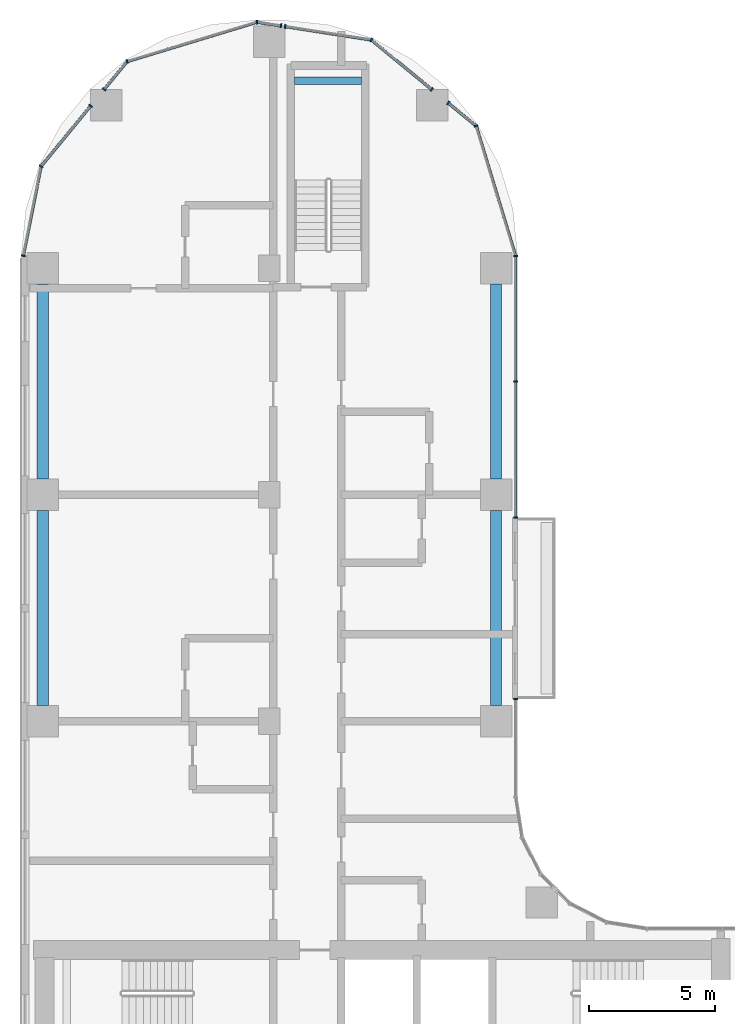
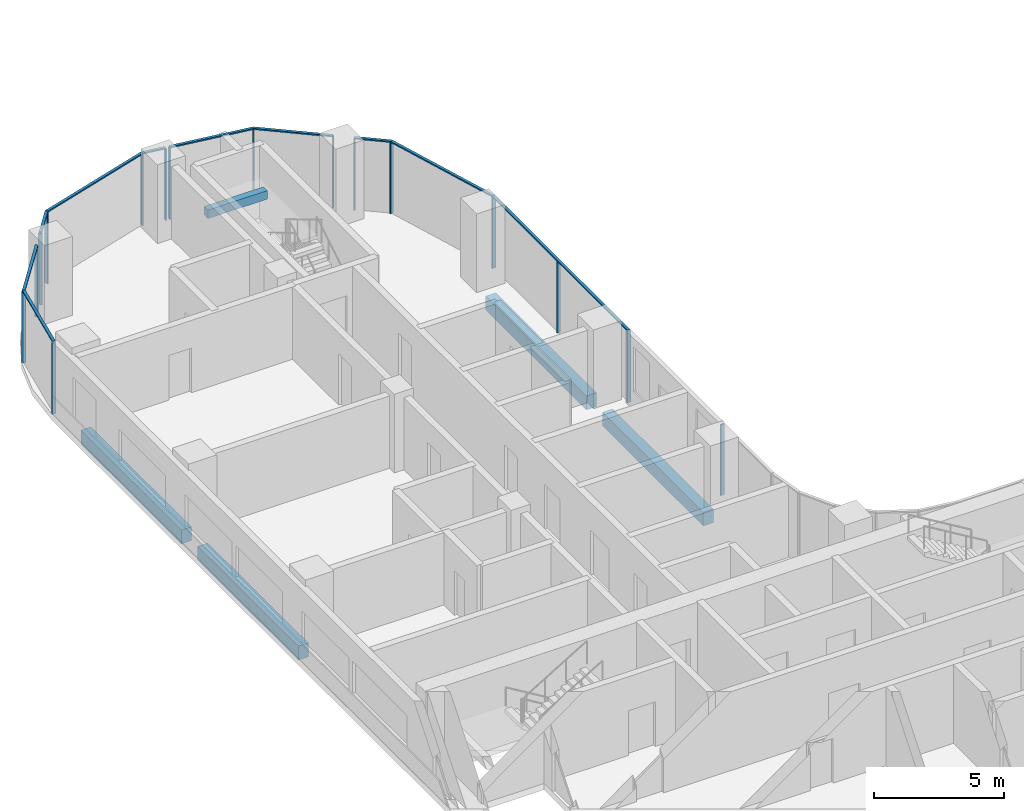
# One storey, part 5 of 35: 26 members, 5 beams, 6 elements without a shape of their own.
"""IFC4 building model written with IfcOpenShell, lengths in metres."""

from ifc_helpers import new_model, si_unit, direction, frame, origin, origin_2d, place, context, subcontext, project, spatial, rectangle, extrude, material, material_profile, profile_set, type_object, element, aggregate, save


model = new_model("IFC4")

# Units and contexts
model_context = context("Model", 3, precision=1e-05, world=origin(), true_north=direction((0.0, 1.0)))
body_context = subcontext(model_context, "Body", "Model", "MODEL_VIEW")
ifc_project = project(units=[si_unit("LENGTHUNIT", "METRE"), si_unit("AREAUNIT", "SQUARE_METRE"), si_unit("VOLUMEUNIT", "CUBIC_METRE"), si_unit("PLANEANGLEUNIT", "RADIAN"), si_unit("MASSUNIT", "GRAM", prefix="KILO")], contexts=[model_context])

# Site, building, storey
site_placement = place(None, origin())
site = spatial("IfcSite", under=ifc_project, at=site_placement, CompositionType="ELEMENT")
building_placement = place(site_placement, origin())
building = spatial("IfcBuilding", under=site, at=building_placement, Name="Ogive Portal Towers", CompositionType="ELEMENT")
storey_placement = place(building_placement, frame((0.0, 0.0, 90.800048828125)))
storey = spatial("IfcBuildingStorey", under=building, at=storey_placement, Name="L21", CompositionType="ELEMENT", Elevation=90.800048828125)

# Beam
ifc_material_1 = material(Name="Concrete C40/50", Category="concrete")
ifc_material_profile_1 = material_profile(ifc_material_1, rectangle(XDim=0.300048828125, YDim=0.39990234375, at=origin_2d()), Name="RC 300x400")
ifc_profile_set_1 = profile_set([ifc_material_profile_1], Name="Concrete C40/50")
beam_type_1 = type_object("IfcBeamType", Name="BEAM RC 300x400", PredefinedType="BEAM", material=ifc_profile_set_1)
beam_placement = place(storey_placement, frame((41.5, 73.949951171875, 1.449951171875), z_axis=(1.0, 0.0, 0.0), x_axis=(0.0, 1.0, 0.0)))
element("IfcBeam", 1, at=beam_placement, inside=storey, type_object=beam_type_1, Name="Landing beam L21", PredefinedType="BEAM", context=body_context, shape_type="SweptSolid", body=[
    extrude(rectangle(XDim=0.300048828125, YDim=0.39990234375, at=origin_2d()), origin(), (0.0, 0.0, 1.0), 2.64990234375),
])

# Curtain wall, member
ifc_material_2 = material(Name="Glass, clear low-iron insulated glazing", Category="glass")
curtain_wall_type = type_object("IfcCurtainWallType", Name="CW FRONT RIBBON 4500", PredefinedType="NOTDEFINED", material=ifc_material_2)
curtain_wall_1_placement = place(storey_placement, origin())
curtain_wall_1 = element("IfcCurtainWall", 2, at=curtain_wall_1_placement, inside=storey, type_object=curtain_wall_type, Name="A:L21:f17:cw0", PredefinedType="NOTDEFINED")
ifc_material_3 = material(Name="Aluminium 6063 anodised", Category="aluminium")
ifc_material_profile_2 = material_profile(ifc_material_3, rectangle(XDim=0.159912109375, YDim=0.06005859375, at=origin_2d()), Name="AL 60x160")
ifc_profile_set_2 = profile_set([ifc_material_profile_2], Name="Aluminium 6063 anodised")
member_type_1 = type_object("IfcMemberType", Name="CW MULLION 60x160", PredefinedType="MULLION", material=ifc_profile_set_2)
member_1_placement = place(storey_placement, frame((50.27490234375, 49.392578125, 0.0), z_axis=(0.0, 0.0, 1.0), x_axis=(-1.0, 0.0, 0.0)))
member_1 = element("IfcMember", 3, at=member_1_placement, type_object=member_type_1, Name="mullion", PredefinedType="MULLION", context=body_context, shape_type="SweptSolid", body=[
    extrude(rectangle(XDim=0.159912109375, YDim=0.06005859375, at=origin_2d()), origin(), (0.0, 0.0, 1.0), 3.33984375),
])
aggregate(curtain_wall_1, [member_1])

# Curtain wall, members
curtain_wall_2_placement = place(storey_placement, origin())
curtain_wall_2 = element("IfcCurtainWall", 4, at=curtain_wall_2_placement, inside=storey, type_object=curtain_wall_type, Name="A:L21:f17:cw1", PredefinedType="NOTDEFINED")
member_2_placement = place(storey_placement, frame((50.27490234375, 56.5908203125, 0.0), z_axis=(0.0, 0.0, 1.0), x_axis=(-1.0, 0.0, 0.0)))
member_2 = element("IfcMember", 5, at=member_2_placement, type_object=member_type_1, Name="mullion", PredefinedType="MULLION", context=body_context, shape_type="SweptSolid", body=[
    extrude(rectangle(XDim=0.159912109375, YDim=0.06005859375, at=origin_2d()), origin(), (0.0, 0.0, 1.0), 3.33984375),
])
member_3_placement = place(storey_placement, frame((50.27490234375, 62.0, 0.0), z_axis=(0.0, 0.0, 1.0), x_axis=(-1.0, 0.0, 0.0)))
member_3 = element("IfcMember", 6, at=member_3_placement, type_object=member_type_1, Name="mullion", PredefinedType="MULLION", context=body_context, shape_type="SweptSolid", body=[
    extrude(rectangle(XDim=0.159912109375, YDim=0.06005859375, at=origin_2d()), origin(), (0.0, 0.0, 1.0), 3.33984375),
])
member_4_placement = place(storey_placement, frame((50.27490234375, 66.988037109375, 0.0), z_axis=(0.0, 0.0, 1.0), x_axis=(-1.0, 0.0, 0.0)))
member_4 = element("IfcMember", 7, at=member_4_placement, type_object=member_type_1, Name="mullion", PredefinedType="MULLION", context=body_context, shape_type="SweptSolid", body=[
    extrude(rectangle(XDim=0.159912109375, YDim=0.06005859375, at=origin_2d()), origin(), (0.0, 0.0, 1.0), 3.33984375),
])

curtain_wall_3_placement = place(storey_placement, origin())
curtain_wall_3 = element("IfcCurtainWall", 8, at=curtain_wall_3_placement, inside=storey, type_object=curtain_wall_type, Name="A:L21:f18:cwa~0", PredefinedType="NOTDEFINED")
member_5_placement = place(storey_placement, frame((48.708984375, 72.15087890625, 0.0), z_axis=(0.0, 0.0, 1.0), x_axis=(-0.956940335732, -0.290284677254, 0.0)))
member_5 = element("IfcMember", 9, at=member_5_placement, type_object=member_type_1, Name="mullion", PredefinedType="MULLION", context=body_context, shape_type="SweptSolid", body=[
    extrude(rectangle(XDim=0.159912109375, YDim=0.06005859375, at=origin_2d()), origin(), (0.0, 0.0, 1.0), 3.33984375),
])
member_6_placement = place(storey_placement, frame((47.597900390625, 73.0625, 0.0), z_axis=(0.0, 0.0, 1.0), x_axis=(-0.634393284164, -0.773010453363, 0.0)))
member_6 = element("IfcMember", 10, at=member_6_placement, type_object=member_type_1, Name="mullion", PredefinedType="MULLION", context=body_context, shape_type="SweptSolid", body=[
    extrude(rectangle(XDim=0.159912109375, YDim=0.06005859375, at=origin_2d()), origin(), (0.0, 0.0, 1.0), 3.33984375),
])

curtain_wall_4_placement = place(storey_placement, origin())
curtain_wall_4 = element("IfcCurtainWall", 11, at=curtain_wall_4_placement, inside=storey, type_object=curtain_wall_type, Name="A:L21:f18:cwa~1", PredefinedType="NOTDEFINED")
member_7_placement = place(storey_placement, frame((46.945556640625, 73.597900390625, 0.0), z_axis=(0.0, 0.0, 1.0), x_axis=(-0.634393284164, -0.773010453363, 0.0)))
member_7 = element("IfcMember", 12, at=member_7_placement, type_object=member_type_1, Name="mullion", PredefinedType="MULLION", context=body_context, shape_type="SweptSolid", body=[
    extrude(rectangle(XDim=0.159912109375, YDim=0.06005859375, at=origin_2d()), origin(), (0.0, 0.0, 1.0), 3.33984375),
])
member_8_placement = place(storey_placement, frame((44.546142578125, 75.567138671875, 0.0), z_axis=(0.0, 0.0, 1.0), x_axis=(-0.634393284164, -0.773010453363, 0.0)))
member_8 = element("IfcMember", 13, at=member_8_placement, type_object=member_type_1, Name="mullion", PredefinedType="MULLION", context=body_context, shape_type="SweptSolid", body=[
    extrude(rectangle(XDim=0.159912109375, YDim=0.06005859375, at=origin_2d()), origin(), (0.0, 0.0, 1.0), 3.33984375),
])
member_9_placement = place(storey_placement, frame((41.125, 76.09912109375, 0.0), z_axis=(0.0, 0.0, 1.0), x_axis=(-0.153635802256, -0.988127542509, 0.0)))
member_9 = element("IfcMember", 14, at=member_9_placement, type_object=member_type_1, Name="mullion", PredefinedType="MULLION", context=body_context, shape_type="SweptSolid", body=[
    extrude(rectangle(XDim=0.159912109375, YDim=0.06005859375, at=origin_2d()), origin(), (0.0, 0.0, 1.0), 3.33984375),
])

curtain_wall_5_placement = place(storey_placement, origin())
curtain_wall_5 = element("IfcCurtainWall", 15, at=curtain_wall_5_placement, inside=storey, type_object=curtain_wall_type, Name="A:L21:f18:cwa~2", PredefinedType="NOTDEFINED")
member_10_placement = place(storey_placement, frame((40.95849609375, 76.125, 0.0), z_axis=(0.0, 0.0, 1.0), x_axis=(-0.153635802256, -0.988127542509, 0.0)))
member_10 = element("IfcMember", 16, at=member_10_placement, type_object=member_type_1, Name="mullion", PredefinedType="MULLION", context=body_context, shape_type="SweptSolid", body=[
    extrude(rectangle(XDim=0.159912109375, YDim=0.06005859375, at=origin_2d()), origin(), (0.0, 0.0, 1.0), 3.33984375),
])
member_11_placement = place(storey_placement, frame((40.005859375, 76.273193359375, 0.0), z_axis=(0.0, 0.0, 1.0), x_axis=(-0.153635802256, -0.988127542509, 0.0)))
member_11 = element("IfcMember", 17, at=member_11_placement, type_object=member_type_1, Name="mullion", PredefinedType="MULLION", context=body_context, shape_type="SweptSolid", body=[
    extrude(rectangle(XDim=0.159912109375, YDim=0.06005859375, at=origin_2d()), origin(), (0.0, 0.0, 1.0), 3.33984375),
])
member_12_placement = place(storey_placement, frame((34.84912109375, 74.708984375, 0.0), z_axis=(0.0, 0.0, 1.0), x_axis=(0.290284677254, -0.956940335732, 0.0)))
member_12 = element("IfcMember", 18, at=member_12_placement, type_object=member_type_1, Name="mullion", PredefinedType="MULLION", context=body_context, shape_type="SweptSolid", body=[
    extrude(rectangle(XDim=0.159912109375, YDim=0.06005859375, at=origin_2d()), origin(), (0.0, 0.0, 1.0), 3.33984375),
])
member_13_placement = place(storey_placement, frame((33.9375, 73.597900390625, 0.0), z_axis=(0.0, 0.0, 1.0), x_axis=(0.773010453363, -0.634393284164, 0.0)))
member_13 = element("IfcMember", 19, at=member_13_placement, type_object=member_type_1, Name="mullion", PredefinedType="MULLION", context=body_context, shape_type="SweptSolid", body=[
    extrude(rectangle(XDim=0.159912109375, YDim=0.06005859375, at=origin_2d()), origin(), (0.0, 0.0, 1.0), 3.33984375),
])

curtain_wall_6_placement = place(storey_placement, origin())
curtain_wall_6 = element("IfcCurtainWall", 20, at=curtain_wall_6_placement, inside=storey, type_object=curtain_wall_type, Name="A:L21:f18:cwa~3", PredefinedType="NOTDEFINED")
member_14_placement = place(storey_placement, frame((33.402099609375, 72.945556640625, 0.0), z_axis=(0.0, 0.0, 1.0), x_axis=(0.773010453363, -0.634393284164, 0.0)))
member_14 = element("IfcMember", 21, at=member_14_placement, type_object=member_type_1, Name="mullion", PredefinedType="MULLION", context=body_context, shape_type="SweptSolid", body=[
    extrude(rectangle(XDim=0.159912109375, YDim=0.06005859375, at=origin_2d()), origin(), (0.0, 0.0, 1.0), 3.33984375),
])
member_15_placement = place(storey_placement, frame((31.431640625, 70.544677734375, 0.0), z_axis=(0.0, 0.0, 1.0), x_axis=(0.773010453363, -0.634393284164, 0.0)))
member_15 = element("IfcMember", 22, at=member_15_placement, type_object=member_type_1, Name="mullion", PredefinedType="MULLION", context=body_context, shape_type="SweptSolid", body=[
    extrude(rectangle(XDim=0.159912109375, YDim=0.06005859375, at=origin_2d()), origin(), (0.0, 0.0, 1.0), 3.33984375),
])
member_16_placement = place(storey_placement, frame((30.72509765625, 66.9921875, 0.0), z_axis=(0.0, 0.0, 1.0), x_axis=(0.980785280403, -0.195090322016, 0.0)))
member_16 = element("IfcMember", 23, at=member_16_placement, type_object=member_type_1, Name="mullion", PredefinedType="MULLION", context=body_context, shape_type="SweptSolid", body=[
    extrude(rectangle(XDim=0.159912109375, YDim=0.06005859375, at=origin_2d()), origin(), (0.0, 0.0, 1.0), 3.33984375),
])

# Member
ifc_material_profile_3 = material_profile(ifc_material_3, rectangle(XDim=0.1201171875, YDim=0.06005859375, at=origin_2d()), Name="AL 120x60")
ifc_profile_set_3 = profile_set([ifc_material_profile_3], Name="Aluminium 6063 anodised")
member_type_2 = type_object("IfcMemberType", Name="CW TRANSOM 60x120", PredefinedType="USERDEFINED", material=ifc_profile_set_3)
member_17_placement = place(storey_placement, frame((50.27490234375, 56.5908203125, 3.369873046875), z_axis=(0.0, 1.0, 0.0), x_axis=(-1.0, 0.0, 0.0)))
member_17 = element("IfcMember", 24, at=member_17_placement, type_object=member_type_2, Name="transom", ObjectType="TRANSOM", PredefinedType="USERDEFINED", context=body_context, shape_type="SweptSolid", body=[
    extrude(rectangle(XDim=0.1201171875, YDim=0.06005859375, at=origin_2d()), origin(), (0.0, 0.0, 1.0), 10.397216796875),
])

aggregate(curtain_wall_2, [member_17, member_2, member_3, member_4])

member_18_placement = place(storey_placement, frame((50.27490234375, 66.988037109375, 3.369873046875), z_axis=(-0.290248528925, 0.956951300463, 0.0), x_axis=(-0.956951300463, -0.290248528925, 0.0)))
member_18 = element("IfcMember", 25, at=member_18_placement, type_object=member_type_2, Name="transom", ObjectType="TRANSOM", PredefinedType="USERDEFINED", context=body_context, shape_type="SweptSolid", body=[
    extrude(rectangle(XDim=0.1201171875, YDim=0.06005859375, at=origin_2d()), origin(), (0.0, 0.0, 1.0), 5.39501953125),
])

member_19_placement = place(storey_placement, frame((48.708984375, 72.15087890625, 3.369873046875), z_axis=(-0.773086185794, 0.634300992695, 0.0), x_axis=(-0.634300992695, -0.773086185794, 0.0)))
member_19 = element("IfcMember", 26, at=member_19_placement, type_object=member_type_2, Name="transom", ObjectType="TRANSOM", PredefinedType="USERDEFINED", context=body_context, shape_type="SweptSolid", body=[
    extrude(rectangle(XDim=0.1201171875, YDim=0.06005859375, at=origin_2d()), origin(), (0.0, 0.0, 1.0), 1.437255859375),
])

aggregate(curtain_wall_3, [member_18, member_19, member_5, member_6])

member_20_placement = place(storey_placement, frame((46.945556640625, 73.597900390625, 3.369873046875), z_axis=(-0.772996226652, 0.634410619065, 0.0), x_axis=(-0.634410619065, -0.772996226652, 0.0)))
member_20 = element("IfcMember", 27, at=member_20_placement, type_object=member_type_2, Name="transom", ObjectType="TRANSOM", PredefinedType="USERDEFINED", context=body_context, shape_type="SweptSolid", body=[
    extrude(rectangle(XDim=0.1201171875, YDim=0.06005859375, at=origin_2d()), origin(), (0.0, 0.0, 1.0), 3.10400390625),
])

member_21_placement = place(storey_placement, frame((44.546142578125, 75.567138671875, 3.369873046875), z_axis=(-0.988125035284, 0.153651926917, 0.0), x_axis=(-0.153651926917, -0.988125035284, 0.0)))
member_21 = element("IfcMember", 28, at=member_21_placement, type_object=member_type_2, Name="transom", ObjectType="TRANSOM", PredefinedType="USERDEFINED", context=body_context, shape_type="SweptSolid", body=[
    extrude(rectangle(XDim=0.1201171875, YDim=0.06005859375, at=origin_2d()), origin(), (0.0, 0.0, 1.0), 3.462158203125),
])

aggregate(curtain_wall_4, [member_20, member_21, member_7, member_8, member_9])

member_22_placement = place(storey_placement, frame((40.95849609375, 76.125, 3.369873046875), z_axis=(-0.988115614247, 0.15371250073, 0.0), x_axis=(-0.15371250073, -0.988115614247, 0.0)))
member_22 = element("IfcMember", 29, at=member_22_placement, type_object=member_type_2, Name="transom", ObjectType="TRANSOM", PredefinedType="USERDEFINED", context=body_context, shape_type="SweptSolid", body=[
    extrude(rectangle(XDim=0.1201171875, YDim=0.06005859375, at=origin_2d()), origin(), (0.0, 0.0, 1.0), 0.964111328125),
])

member_23_placement = place(storey_placement, frame((40.005859375, 76.273193359375, 3.369873046875), z_axis=(-0.956943968392, -0.290272701709, 0.0), x_axis=(0.290272701709, -0.956943968392, 0.0)))
member_23 = element("IfcMember", 30, at=member_23_placement, type_object=member_type_2, Name="transom", ObjectType="TRANSOM", PredefinedType="USERDEFINED", context=body_context, shape_type="SweptSolid", body=[
    extrude(rectangle(XDim=0.1201171875, YDim=0.06005859375, at=origin_2d()), origin(), (0.0, 0.0, 1.0), 5.388671875),
])

member_24_placement = place(storey_placement, frame((34.84912109375, 74.708984375, 3.369873046875), z_axis=(-0.634300992695, -0.773086185794, 0.0), x_axis=(0.773086185794, -0.634300992695, 0.0)))
member_24 = element("IfcMember", 31, at=member_24_placement, type_object=member_type_2, Name="transom", ObjectType="TRANSOM", PredefinedType="USERDEFINED", context=body_context, shape_type="SweptSolid", body=[
    extrude(rectangle(XDim=0.1201171875, YDim=0.06005859375, at=origin_2d()), origin(), (0.0, 0.0, 1.0), 1.437255859375),
])

aggregate(curtain_wall_5, [member_22, member_23, member_24, member_10, member_11, member_12, member_13])

member_25_placement = place(storey_placement, frame((33.402099609375, 72.945556640625, 3.369873046875), z_axis=(-0.634414174619, -0.772993308537, 0.0), x_axis=(0.772993308537, -0.634414174619, 0.0)))
member_25 = element("IfcMember", 32, at=member_25_placement, type_object=member_type_2, Name="transom", ObjectType="TRANSOM", PredefinedType="USERDEFINED", context=body_context, shape_type="SweptSolid", body=[
    extrude(rectangle(XDim=0.1201171875, YDim=0.06005859375, at=origin_2d()), origin(), (0.0, 0.0, 1.0), 3.10595703125),
])

member_26_placement = place(storey_placement, frame((31.431640625, 70.544677734375, 3.369873046875), z_axis=(-0.195066081684, -0.980790101794, 0.0), x_axis=(0.980790101794, -0.195066081684, 0.0)))
member_26 = element("IfcMember", 33, at=member_26_placement, type_object=member_type_2, Name="transom", ObjectType="TRANSOM", PredefinedType="USERDEFINED", context=body_context, shape_type="SweptSolid", body=[
    extrude(rectangle(XDim=0.1201171875, YDim=0.06005859375, at=origin_2d()), origin(), (0.0, 0.0, 1.0), 3.6220703125),
])

aggregate(curtain_wall_6, [member_25, member_26, member_14, member_15, member_16])

# Beams
ifc_material_4 = material(Name="Concrete C50/60", Category="concrete")
ifc_material_profile_4 = material_profile(ifc_material_4, rectangle(XDim=0.449951171875, YDim=0.64990234375, at=origin_2d()), Name="RC 450x650")
ifc_profile_set_4 = profile_set([ifc_material_profile_4], Name="Concrete C50/60")
beam_type_2 = type_object("IfcBeamType", Name="SPANDREL BEAM RC 450x650", PredefinedType="BEAM", material=ifc_profile_set_4)
for number, where, z_axis, x_axis, name in (
    (34, (31.5, 49.125, -0.625), (0.0, 1.0, 0.0), (-1.0, 0.0, 0.0), "Spandrel beam L21"),
    (35, (31.5, 58.125, -0.625), (0.0, 1.0, 0.0), (-1.0, 0.0, 0.0), "Spandrel beam L21"),
    (36, (49.5, 65.875, -0.625), (0.0, -1.0, 0.0), (1.0, 0.0, 0.0), "Spandrel beam L21"),
    (37, (49.5, 56.875, -0.625), (0.0, -1.0, 0.0), (1.0, 0.0, 0.0), "Spandrel beam L21"),
):
    element("IfcBeam", number, at=place(storey_placement, frame(where, z_axis=z_axis, x_axis=x_axis)), inside=storey, type_object=beam_type_2, Name=name, PredefinedType="BEAM", context=body_context, shape_type="SweptSolid", body=[
        extrude(rectangle(XDim=0.449951171875, YDim=0.64990234375, at=origin_2d()), origin(), (0.0, 0.0, 1.0), 7.75),
    ])

save(model, "model.ifc")
